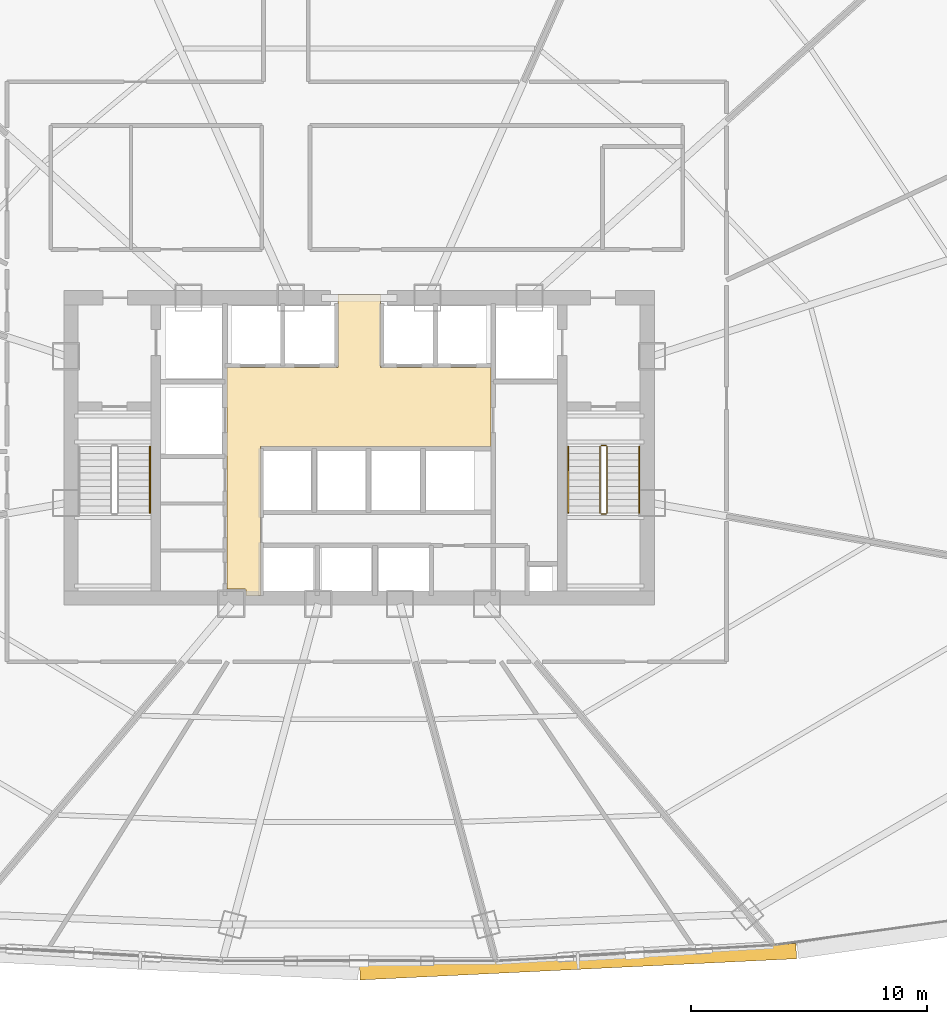
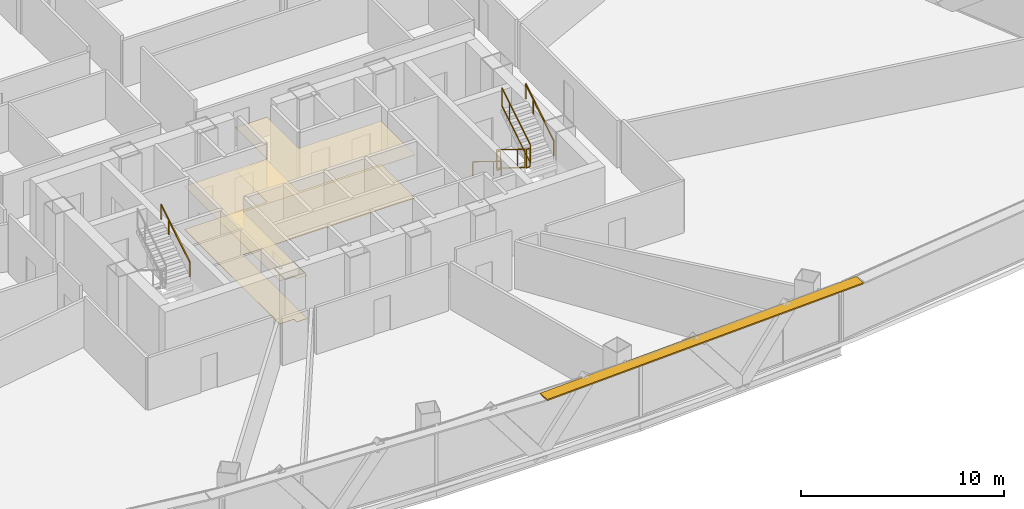
# One storey, part 34 of 36: 7 railings, 2 coverings, 1 shading device.
"""IFC4 building model written with IfcOpenShell, lengths in metres."""

from ifc_helpers import new_model, si_unit, direction, frame, origin, origin_2d, place, context, subcontext, project, spatial, polyline, rectangle, outline, extrude, source, transform, mapped, material, layer, layer_set, type_object, element, save


model = new_model("IFC4")

# Units and contexts
model_context = context("Model", 3, precision=1e-05, world=origin(), true_north=direction((0.0, 1.0)))
body_context = subcontext(model_context, "Body", "Model", "MODEL_VIEW")
ifc_project = project(units=[si_unit("LENGTHUNIT", "METRE"), si_unit("AREAUNIT", "SQUARE_METRE"), si_unit("VOLUMEUNIT", "CUBIC_METRE"), si_unit("PLANEANGLEUNIT", "RADIAN"), si_unit("MASSUNIT", "GRAM", prefix="KILO"), si_unit("THERMODYNAMICTEMPERATUREUNIT", "KELVIN"), si_unit("POWERUNIT", "WATT")], contexts=[model_context])

# Site, building, storey
site_placement = place(None, origin())
site = spatial("IfcSite", under=ifc_project, at=site_placement, CompositionType="ELEMENT")
building_placement = place(site_placement, origin())
building = spatial("IfcBuilding", under=site, at=building_placement, Name="Yunzhuo Pagoda Commons", CompositionType="ELEMENT")
storey_placement = place(building_placement, frame((0.0, 0.0, 103.97998046875)))
storey = spatial("IfcBuildingStorey", under=building, at=storey_placement, Name="L26", CompositionType="ELEMENT", Elevation=103.97998046875)

# Coverings
ifc_material_1 = material(Name="Mineral fibre acoustic ceiling board")
ifc_layer_1 = layer(ifc_material_1, 0.02490234375)
ifc_layer_set_1 = layer_set([ifc_layer_1], Name="Mineral fibre acoustic ceiling board")
covering_type_1 = type_object("IfcCoveringType", Name="COV-CL1 Ceiling 25", PredefinedType="CEILING", material=ifc_layer_set_1)
covering_1_placement = place(storey_placement, frame((0.0, 0.0, 2.590087890625)))
element("IfcCovering", 1, at=covering_1_placement, inside=storey, type_object=covering_type_1, Name="L26 lift lobby acoustic ceiling", PredefinedType="CEILING", context=body_context, shape_type="SweptSolid", body=[
    extrude(outline(polyline([(43.207763671875, 27.85009765625), (43.201904296875, 27.864013671875), (43.187744140625, 27.8701171875), (42.39990234375, 27.8701171875), (42.39990234375, 33.89990234375), (42.39990234375, 37.25), (47.10009765625, 37.25), (47.10009765625, 40.35009765625), (48.89990234375, 40.35009765625), (48.89990234375, 37.25), (53.580078125, 37.25), (53.580078125, 33.89990234375), (43.820068359375, 33.89990234375), (43.820068359375, 27.60009765625), (43.207763671875, 27.60009765625), (43.207763671875, 27.85009765625)])), origin(), (0.0, 0.0, 1.0), 0.02490234375),
])
ifc_material_2 = material(Name="Porcelain ceramic floor tile")
ifc_layer_2 = layer(ifc_material_2, 0.02001953125)
ifc_layer_set_2 = layer_set([ifc_layer_2], Name="Porcelain ceramic floor tile")
covering_type_2 = type_object("IfcCoveringType", Name="COV-FL1 Flooring 20", PredefinedType="FLOORING", material=ifc_layer_set_2)
covering_2_placement = place(storey_placement, origin())
element("IfcCovering", 2, at=covering_2_placement, inside=storey, type_object=covering_type_2, Name="L26 lift lobby flooring", PredefinedType="FLOORING", context=body_context, shape_type="SweptSolid", body=[
    extrude(outline(polyline([(43.207763671875, 27.85009765625), (43.201904296875, 27.864013671875), (43.187744140625, 27.8701171875), (42.39990234375, 27.8701171875), (42.39990234375, 33.89990234375), (42.39990234375, 37.25), (47.10009765625, 37.25), (47.10009765625, 40.35009765625), (48.89990234375, 40.35009765625), (48.89990234375, 37.25), (53.580078125, 37.25), (53.580078125, 33.89990234375), (43.820068359375, 33.89990234375), (43.820068359375, 27.60009765625), (43.207763671875, 27.60009765625), (43.207763671875, 27.85009765625)])), origin(), (0.0, 0.0, 1.0), 0.02001953125),
])

# Railings
ifc_material_3 = material(Name="Anodized aluminium 6063-T6", Category="aluminium")
railing_type_1 = type_object("IfcRailingType", Name="GR-ST2 Stair Well Guardrail 1160", PredefinedType="GUARDRAIL", material=ifc_material_3)
railing_1_placement = place(storey_placement, frame((58.199951171875, 33.89990234375, 0.1728515625)))
element("IfcRailing", 3, at=railing_1_placement, inside=storey, type_object=railing_type_1, Name="L26 ST2 stair guard 1", PredefinedType="GUARDRAIL", context=body_context, shape_type="SweptSolid", body=[
    extrude(rectangle(XDim=0.048095703125, YDim=0.048095703125, at=origin_2d()), frame((0.0, 0.0, 1.1259765625), z_axis=(0.0, -0.851102337555, 0.524999820009), x_axis=(1.0, 0.0, 0.0)), (0.0, 0.0, 1.0), 3.28955078125),
    extrude(rectangle(XDim=0.048095703125, YDim=0.048095703125, at=origin_2d()), frame((0.0, 0.0, 0.02392578125), z_axis=(0.0, -0.851102337555, 0.524999820009), x_axis=(1.0, 0.0, 0.0)), (0.0, 0.0, 1.0), 3.28955078125),
    extrude(rectangle(XDim=0.0419921875, YDim=0.0419921875, at=origin_2d()), origin(), (0.0, 0.0, 1.0), 1.101806640625),
    extrude(rectangle(XDim=0.0419921875, YDim=0.0419921875, at=origin_2d()), frame((0.0, -2.042724609375, 1.260009765625)), (0.0, 0.0, 1.0), 1.101806640625),
    extrude(rectangle(XDim=0.0419921875, YDim=0.0419921875, at=origin_2d()), frame((0.0, -2.7998046875, 1.72705078125)), (0.0, 0.0, 1.0), 1.101806640625),
])
railing_2_placement = place(storey_placement, frame((58.25, 31.050048828125, 1.89990234375)))
element("IfcRailing", 4, at=railing_2_placement, inside=storey, type_object=railing_type_1, Name="L26 ST2 stair guard 2", PredefinedType="GUARDRAIL", context=body_context, shape_type="SweptSolid", body=[
    extrude(rectangle(XDim=0.048095703125, YDim=0.048095703125, at=origin_2d()), frame((0.0, 0.0, 1.1259765625), z_axis=(1.0, 0.0, 0.0), x_axis=(0.0, 1.0, 0.0)), (0.0, 0.0, 1.0), 0.199951171875),
    extrude(rectangle(XDim=0.048095703125, YDim=0.048095703125, at=origin_2d()), frame((0.0, 0.0, 0.02392578125), z_axis=(1.0, 0.0, 0.0), x_axis=(0.0, 1.0, 0.0)), (0.0, 0.0, 1.0), 0.199951171875),
    extrude(rectangle(XDim=0.0419921875, YDim=0.0419921875, at=origin_2d()), origin(), (0.0, 0.0, 1.0), 1.101806640625),
    extrude(rectangle(XDim=0.0419921875, YDim=0.0419921875, at=origin_2d()), frame((0.199951171875, 0.0, 0.0)), (0.0, 0.0, 1.0), 1.101806640625),
])
railing_3_placement = place(storey_placement, frame((58.5, 31.10009765625, 2.07275390625)))
element("IfcRailing", 5, at=railing_3_placement, inside=storey, type_object=railing_type_1, Name="L26 ST2 stair guard 3", PredefinedType="GUARDRAIL", context=body_context, shape_type="SweptSolid", body=[
    extrude(rectangle(XDim=0.048095703125, YDim=0.048095703125, at=origin_2d()), frame((0.0, 0.0, 1.1259765625), z_axis=(0.0, 0.851069175582, 0.525053576669), x_axis=(-1.0, 0.0, 0.0)), (0.0, 0.0, 1.0), 3.289794921875),
    extrude(rectangle(XDim=0.048095703125, YDim=0.048095703125, at=origin_2d()), frame((0.0, 0.0, 0.02392578125), z_axis=(0.0, 0.851069175582, 0.525053576669), x_axis=(-1.0, 0.0, 0.0)), (0.0, 0.0, 1.0), 3.289794921875),
    extrude(rectangle(XDim=0.0419921875, YDim=0.0419921875, at=origin_2d()), origin(), (0.0, 0.0, 1.0), 1.101806640625),
    extrude(rectangle(XDim=0.0419921875, YDim=0.0419921875, at=origin_2d()), frame((0.0, 2.04248046875, 1.260009765625)), (0.0, 0.0, 1.0), 1.101806640625),
    extrude(rectangle(XDim=0.0419921875, YDim=0.0419921875, at=origin_2d()), frame((0.0, 2.7998046875, 1.727294921875)), (0.0, 0.0, 1.0), 1.101806640625),
])
railing_4_placement = place(storey_placement, frame((58.25, 33.949951171875, 0.0)))
element("IfcRailing", 6, at=railing_4_placement, inside=storey, type_object=railing_type_1, Name="L26 ST2 stair guard 4", PredefinedType="GUARDRAIL", context=body_context, shape_type="SweptSolid", body=[
    extrude(rectangle(XDim=0.048095703125, YDim=0.048095703125, at=origin_2d()), frame((0.0, 0.0, 1.1259765625), z_axis=(1.0, 0.0, 0.0), x_axis=(0.0, 1.0, 0.0)), (0.0, 0.0, 1.0), 0.199951171875),
    extrude(rectangle(XDim=0.048095703125, YDim=0.048095703125, at=origin_2d()), frame((0.0, 0.0, 0.02392578125), z_axis=(1.0, 0.0, 0.0), x_axis=(0.0, 1.0, 0.0)), (0.0, 0.0, 1.0), 0.199951171875),
    extrude(rectangle(XDim=0.0419921875, YDim=0.0419921875, at=origin_2d()), origin(), (0.0, 0.0, 1.0), 1.101806640625),
    extrude(rectangle(XDim=0.0419921875, YDim=0.0419921875, at=origin_2d()), frame((0.199951171875, 0.0, 0.0)), (0.0, 0.0, 1.0), 1.101806640625),
])
railing_type_2 = type_object("IfcRailingType", Name="HR-ST1 Stair Handrail 900", PredefinedType="HANDRAIL", material=ifc_material_3)
railing_5_placement = place(storey_placement, frame((39.14990234375, 31.10009765625, 2.07275390625)))
element("IfcRailing", 7, at=railing_5_placement, inside=storey, type_object=railing_type_2, Name="L26 ST1 stair handrail 2", PredefinedType="HANDRAIL", context=body_context, shape_type="SweptSolid", body=[
    extrude(rectangle(XDim=0.048095703125, YDim=0.048095703125, at=origin_2d()), frame((0.0, 0.0, 0.8759765625), z_axis=(0.0, 0.851069175582, 0.525053576669), x_axis=(-1.0, 0.0, 0.0)), (0.0, 0.0, 1.0), 3.289794921875),
    extrude(rectangle(XDim=0.0419921875, YDim=0.0419921875, at=origin_2d()), origin(), (0.0, 0.0, 1.0), 0.851806640625),
    extrude(rectangle(XDim=0.0419921875, YDim=0.0419921875, at=origin_2d()), frame((0.0, 2.04248046875, 1.260009765625)), (0.0, 0.0, 1.0), 0.851806640625),
    extrude(rectangle(XDim=0.0419921875, YDim=0.0419921875, at=origin_2d()), frame((0.0, 2.7998046875, 1.727294921875)), (0.0, 0.0, 1.0), 0.851806640625),
])
railing_type_3 = type_object("IfcRailingType", Name="HR-ST2 Stair Handrail 900", PredefinedType="HANDRAIL", material=ifc_material_3)
railing_6_placement = place(storey_placement, frame((56.85009765625, 33.89990234375, 0.1728515625)))
element("IfcRailing", 8, at=railing_6_placement, inside=storey, type_object=railing_type_3, Name="L26 ST2 stair handrail 1", PredefinedType="HANDRAIL", context=body_context, shape_type="SweptSolid", body=[
    extrude(rectangle(XDim=0.048095703125, YDim=0.048095703125, at=origin_2d()), frame((0.0, 0.0, 0.8759765625), z_axis=(0.0, -0.851102337555, 0.524999820009), x_axis=(1.0, 0.0, 0.0)), (0.0, 0.0, 1.0), 3.28955078125),
    extrude(rectangle(XDim=0.0419921875, YDim=0.0419921875, at=origin_2d()), origin(), (0.0, 0.0, 1.0), 0.851806640625),
    extrude(rectangle(XDim=0.0419921875, YDim=0.0419921875, at=origin_2d()), frame((0.0, -2.042724609375, 1.260009765625)), (0.0, 0.0, 1.0), 0.851806640625),
    extrude(rectangle(XDim=0.0419921875, YDim=0.0419921875, at=origin_2d()), frame((0.0, -2.7998046875, 1.72705078125)), (0.0, 0.0, 1.0), 0.851806640625),
])
railing_7_placement = place(storey_placement, frame((59.85009765625, 31.10009765625, 2.07275390625)))
element("IfcRailing", 9, at=railing_7_placement, inside=storey, type_object=railing_type_3, Name="L26 ST2 stair handrail 2", PredefinedType="HANDRAIL", context=body_context, shape_type="SweptSolid", body=[
    extrude(rectangle(XDim=0.048095703125, YDim=0.048095703125, at=origin_2d()), frame((0.0, 0.0, 0.8759765625), z_axis=(0.0, 0.851069175582, 0.525053576669), x_axis=(-1.0, 0.0, 0.0)), (0.0, 0.0, 1.0), 3.289794921875),
    extrude(rectangle(XDim=0.0419921875, YDim=0.0419921875, at=origin_2d()), origin(), (0.0, 0.0, 1.0), 0.851806640625),
    extrude(rectangle(XDim=0.0419921875, YDim=0.0419921875, at=origin_2d()), frame((0.0, 2.04248046875, 1.260009765625)), (0.0, 0.0, 1.0), 0.851806640625),
    extrude(rectangle(XDim=0.0419921875, YDim=0.0419921875, at=origin_2d()), frame((0.0, 2.7998046875, 1.727294921875)), (0.0, 0.0, 1.0), 0.851806640625),
])

# Shading device
ifc_layer_3 = layer(ifc_material_3, 0.080078125)
ifc_layer_set_3 = layer_set([ifc_layer_3], Name="Anodized aluminium 6063-T6")
shading_device_type = type_object("IfcShadingDeviceType", Name="SH-SUN1 Pagoda Horizontal Sunshade Eave 650", PredefinedType="USERDEFINED", material=ifc_layer_set_3)
shared_shape = source(origin(), body_context, "Body", "SweptSolid", [
    extrude(rectangle(XDim=18.493408203125, YDim=0.64990234375, at=origin_2d()), origin(), (0.0, 0.0, 1.0), 0.080078125),
])
shading_device_placement = place(storey_placement, frame((57.267333984375, 12.1005859375, 3.4599609375), z_axis=(0.0, 0.0, 1.0), x_axis=(0.998818043775, 0.04860571396, 0.0)))
element("IfcShadingDevice", 10, at=shading_device_placement, inside=storey, type_object=shading_device_type, Name="L26 horizontal pagoda sunshade eave F1.3", ObjectType="SUNSHADE", PredefinedType="USERDEFINED", context=body_context, shape_type="MappedRepresentation", body=[
    mapped(shared_shape, transform((0.0, 0.0, 0.0), scale=1.0)),
])

save(model, "model.ifc")
